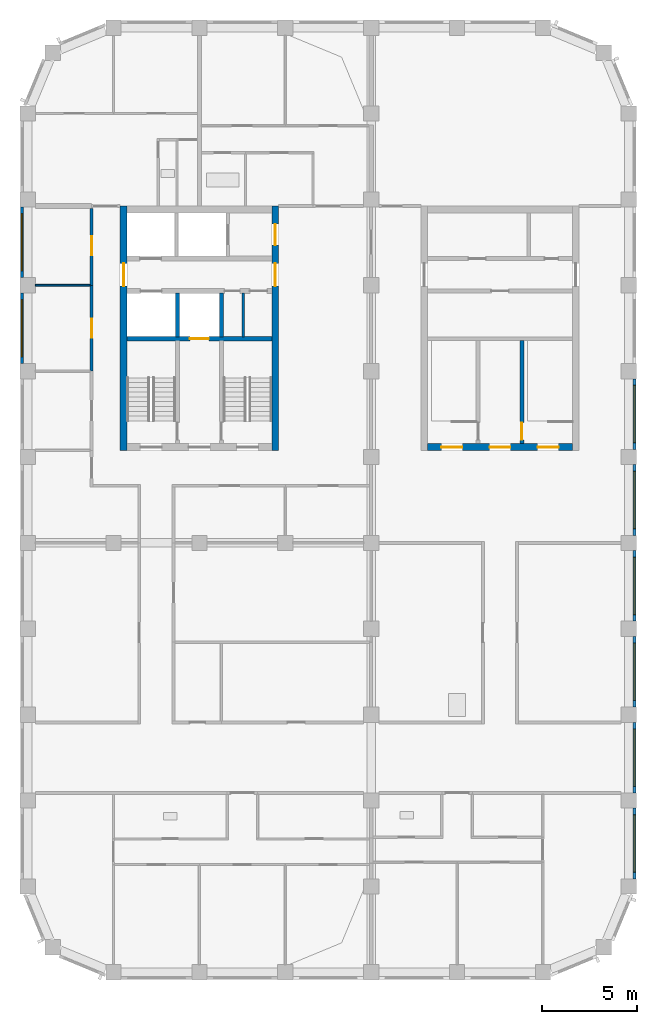
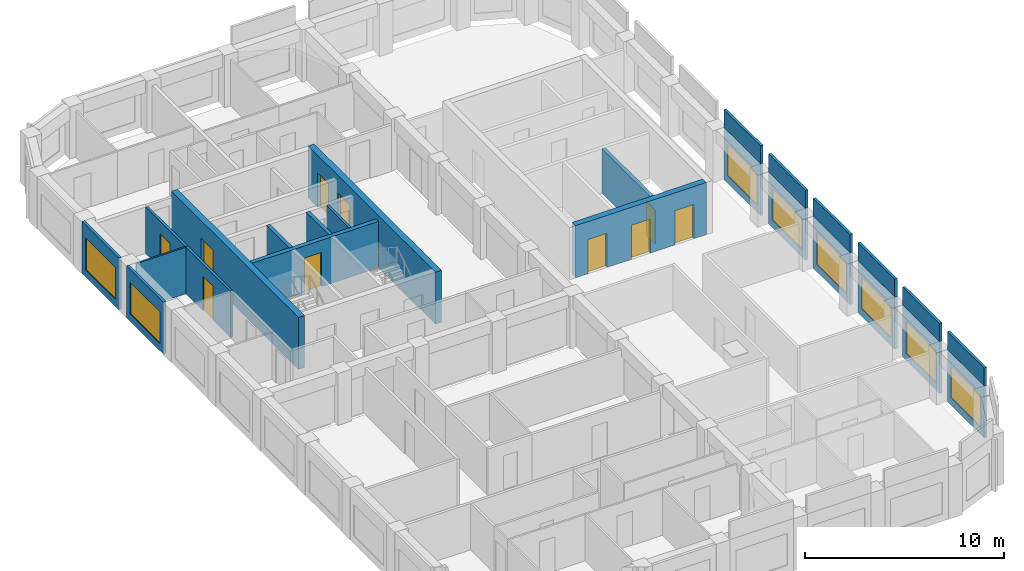
# One storey, part 5 of 10: 25 walls, 10 doors, 8 windows, 18 openings.
"""IFC4 building model written with IfcOpenShell, lengths in metres."""

from ifc_helpers import new_model, si_unit, direction, frame, frame_2d, origin, place, context, subcontext, project, spatial, rectangle, extrude, material, layer, layer_set, type_object, element, fill, save


model = new_model("IFC4")

# Units and contexts
model_context = context("Model", 3, precision=1e-05, world=origin(), true_north=direction((0.0, 1.0)))
body_context = subcontext(model_context, "Body", "Model", "MODEL_VIEW")
ifc_project = project(units=[si_unit("LENGTHUNIT", "METRE"), si_unit("AREAUNIT", "SQUARE_METRE"), si_unit("VOLUMEUNIT", "CUBIC_METRE"), si_unit("PLANEANGLEUNIT", "RADIAN"), si_unit("MASSUNIT", "GRAM", prefix="KILO")], contexts=[model_context])

# Site, building, storey
site_placement = place(None, origin())
site = spatial("IfcSite", under=ifc_project, at=site_placement, CompositionType="ELEMENT")
building_placement = place(site_placement, origin())
building = spatial("IfcBuilding", under=site, at=building_placement, Name="Girih Gate Residences", CompositionType="ELEMENT")
storey_placement = place(building_placement, frame((0.0, 0.0, 232.4951171875)))
storey = spatial("IfcBuildingStorey", under=building, at=storey_placement, Name="L65", CompositionType="ELEMENT", Elevation=232.4951171875)

# Wall, opening, door
ifc_material_1 = material(Name="Gypsum board on steel studs", Category="steel")
ifc_layer_1 = layer(ifc_material_1, 0.14990234375)
ifc_layer_set_1 = layer_set([ifc_layer_1], Name="Compartment wall 150 mm")
wall_type_1 = type_object("IfcWallType", Name="Compartment wall 150 mm", PredefinedType="PARTITIONING", material=ifc_layer_set_1)
wall_1_placement = place(storey_placement, frame((3.35009765625, 31.5, 0.0), z_axis=(0.0, 0.0, 1.0), x_axis=(0.0, 1.0, 0.0)))
wall_1 = element("IfcWall", 1, at=wall_1_placement, inside=storey, type_object=wall_type_1, Name="L65 partition", PredefinedType="PARTITIONING", context=body_context, shape_type="SweptSolid", body=[
    extrude(rectangle(XDim=4.5, YDim=0.14990234375, at=frame_2d((2.25, 0.0))), origin(), (0.0, 0.0, 1.0), 2.849853515625),
])
opening_1_placement = place(wall_1_placement, frame((1.75, 0.0, 0.0)))
opening_1 = element("IfcOpeningElement", 2, at=opening_1_placement, cuts=wall_1, Name="Opening A65-035", PredefinedType="OPENING", context=body_context, shape_type="SweptSolid", body=[
    extrude(rectangle(XDim=1.0, YDim=2.10009765625, at=frame_2d((0.5, 1.050048828125))), frame((0.0, 0.0849609375, 0.0), z_axis=(0.0, -1.0, 0.0), x_axis=(1.0, 0.0, 0.0)), (0.0, 0.0, 1.0), 0.169921875),
])
ifc_material_2 = material(Name="Timber, fire-rated core", Category="wood")
door_type_1 = type_object("IfcDoorType", Name="Amenity room door 1000x2100 FD30S", OperationType="NOTDEFINED", PredefinedType="DOOR", material=ifc_material_2)
door_1_placement = place(opening_1_placement, origin())
door_1 = element("IfcDoor", 3, at=door_1_placement, inside=storey, type_object=door_type_1, Name="Door A65-035", OperationType="SINGLE_SWING_RIGHT", OverallHeight=2.10009765625, OverallWidth=1.0, PredefinedType="DOOR", context=body_context, shape_type="SweptSolid", body=[
    extrude(rectangle(XDim=1.0, YDim=2.10009765625, at=frame_2d((0.5, 1.050048828125))), frame((0.0, 0.02490234375, 0.0), z_axis=(0.0, -1.0, 0.0), x_axis=(1.0, 0.0, 0.0)), (0.0, 0.0, 1.0), 0.050048828125),
])
fill(opening_1, door_1)

wall_2_placement = place(storey_placement, frame((3.35009765625, 36.0, 0.0), z_axis=(0.0, 0.0, 1.0), x_axis=(0.0, 1.0, 0.0)))
wall_2 = element("IfcWall", 4, at=wall_2_placement, inside=storey, type_object=wall_type_1, Name="L65 partition", PredefinedType="PARTITIONING", context=body_context, shape_type="SweptSolid", body=[
    extrude(rectangle(XDim=4.02490234375, YDim=0.14990234375, at=frame_2d((2.012451171875, 0.0))), origin(), (0.0, 0.0, 1.0), 2.849853515625),
])
opening_2_placement = place(wall_2_placement, frame((1.574951171875, 0.0, 0.0)))
opening_2 = element("IfcOpeningElement", 5, at=opening_2_placement, cuts=wall_2, Name="Opening A65-036", PredefinedType="OPENING", context=body_context, shape_type="SweptSolid", body=[
    extrude(rectangle(XDim=1.0, YDim=2.10009765625, at=frame_2d((0.5, 1.050048828125))), frame((0.0, 0.0849609375, 0.0), z_axis=(0.0, -1.0, 0.0), x_axis=(1.0, 0.0, 0.0)), (0.0, 0.0, 1.0), 0.169921875),
])
door_2_placement = place(opening_2_placement, origin())
door_2 = element("IfcDoor", 6, at=door_2_placement, inside=storey, type_object=door_type_1, Name="Door A65-036", OperationType="SINGLE_SWING_RIGHT", OverallHeight=2.10009765625, OverallWidth=1.0, PredefinedType="DOOR", context=body_context, shape_type="SweptSolid", body=[
    extrude(rectangle(XDim=1.0, YDim=2.10009765625, at=frame_2d((0.5, 1.050048828125))), frame((0.0, 0.02490234375, 0.0), z_axis=(0.0, -1.0, 0.0), x_axis=(1.0, 0.0, 0.0)), (0.0, 0.0, 1.0), 0.050048828125),
])
fill(opening_2, door_2)

ifc_material_3 = material(Name="Concrete C60/75", Category="concrete")
ifc_layer_2 = layer(ifc_material_3, 0.35009765625)
ifc_layer_set_2 = layer_set([ifc_layer_2], Name="Core wall RC 350 Concrete C60/75")
wall_type_2 = type_object("IfcWallType", Name="Core wall RC 350 Concrete C60/75", PredefinedType="SOLIDWALL", material=ifc_layer_set_2)
wall_3_placement = place(storey_placement, frame((5.02490234375, 27.35009765625, 0.0), z_axis=(0.0, 0.0, 1.0), x_axis=(0.0, 1.0, 0.0)))
wall_3 = element("IfcWall", 7, at=wall_3_placement, inside=storey, type_object=wall_type_2, Name="Core wall W-W L65", PredefinedType="SOLIDWALL", context=body_context, shape_type="SweptSolid", body=[
    extrude(rectangle(XDim=12.7998046875, YDim=0.35009765625, at=frame_2d((6.39990234375, 0.0))), origin(), (0.0, 0.0, 1.0), 3.199951171875),
])
opening_3_placement = place(wall_3_placement, frame((8.60009765625, 0.0, 0.0)))
opening_3 = element("IfcOpeningElement", 8, at=opening_3_placement, cuts=wall_3, Name="Opening D-L65-W-013", PredefinedType="OPENING", context=body_context, shape_type="SweptSolid", body=[
    extrude(rectangle(XDim=1.199951171875, YDim=2.10009765625, at=frame_2d((0.60009765625, 1.050048828125))), frame((0.0, 0.18505859375, 0.0), z_axis=(0.0, -1.0, 0.0), x_axis=(1.0, 0.0, 0.0)), (0.0, 0.0, 1.0), 0.3701171875),
])
ifc_material_4 = material(Name="Painted steel, fire-resisting", Category="steel")
door_type_2 = type_object("IfcDoorType", Name="Fire door 1200x2100", OperationType="SINGLE_SWING_LEFT", PredefinedType="DOOR", material=ifc_material_4)
door_3_placement = place(opening_3_placement, origin())
door_3 = element("IfcDoor", 9, at=door_3_placement, inside=storey, type_object=door_type_2, Name="L65 W core door ll-w", OperationType="SINGLE_SWING_LEFT", OverallHeight=2.10009765625, OverallWidth=1.199951171875, PredefinedType="DOOR", context=body_context, shape_type="SweptSolid", body=[
    extrude(rectangle(XDim=1.199951171875, YDim=2.10009765625, at=frame_2d((0.60009765625, 1.050048828125))), frame((0.0, 0.02490234375, 0.0), z_axis=(0.0, -1.0, 0.0), x_axis=(1.0, 0.0, 0.0)), (0.0, 0.0, 1.0), 0.050048828125),
])
fill(opening_3, door_3)

# Wall, openings, doors
wall_4_placement = place(storey_placement, frame((12.97509765625, 27.35009765625, 0.0), z_axis=(0.0, 0.0, 1.0), x_axis=(0.0, 1.0, 0.0)))
wall_4 = element("IfcWall", 10, at=wall_4_placement, inside=storey, type_object=wall_type_2, Name="Core wall W-E L65", PredefinedType="SOLIDWALL", context=body_context, shape_type="SweptSolid", body=[
    extrude(rectangle(XDim=12.7998046875, YDim=0.35009765625, at=frame_2d((6.39990234375, 0.0))), origin(), (0.0, 0.0, 1.0), 3.199951171875),
])
opening_4_placement = place(wall_4_placement, frame((10.75, 0.0, 0.0)))
opening_4 = element("IfcOpeningElement", 11, at=opening_4_placement, cuts=wall_4, Name="Opening D-L65-W-012", PredefinedType="OPENING", context=body_context, shape_type="SweptSolid", body=[
    extrude(rectangle(XDim=1.10009765625, YDim=2.10009765625, at=frame_2d((0.550048828125, 1.050048828125))), frame((0.0, 0.18505859375, 0.0), z_axis=(0.0, -1.0, 0.0), x_axis=(1.0, 0.0, 0.0)), (0.0, 0.0, 1.0), 0.3701171875),
])
opening_5_placement = place(wall_4_placement, frame((8.60009765625, 0.0, 0.0)))
opening_5 = element("IfcOpeningElement", 12, at=opening_5_placement, cuts=wall_4, Name="Opening D-L65-W-014", PredefinedType="OPENING", context=body_context, shape_type="SweptSolid", body=[
    extrude(rectangle(XDim=1.199951171875, YDim=2.10009765625, at=frame_2d((0.60009765625, 1.050048828125))), frame((0.0, 0.18505859375, 0.0), z_axis=(0.0, -1.0, 0.0), x_axis=(1.0, 0.0, 0.0)), (0.0, 0.0, 1.0), 0.3701171875),
])
door_type_3 = type_object("IfcDoorType", Name="Fire door 1100x2100", OperationType="SINGLE_SWING_LEFT", PredefinedType="DOOR", material=ifc_material_4)
door_4_placement = place(opening_4_placement, origin())
door_4 = element("IfcDoor", 13, at=door_4_placement, inside=storey, type_object=door_type_3, Name="L65 W core door ffl2-e", OperationType="SINGLE_SWING_LEFT", OverallHeight=2.10009765625, OverallWidth=1.10009765625, PredefinedType="DOOR", context=body_context, shape_type="SweptSolid", body=[
    extrude(rectangle(XDim=1.10009765625, YDim=2.10009765625, at=frame_2d((0.550048828125, 1.050048828125))), frame((0.0, 0.02490234375, 0.0), z_axis=(0.0, -1.0, 0.0), x_axis=(1.0, 0.0, 0.0)), (0.0, 0.0, 1.0), 0.050048828125),
])
fill(opening_4, door_4)
door_5_placement = place(opening_5_placement, origin())
door_5 = element("IfcDoor", 14, at=door_5_placement, inside=storey, type_object=door_type_2, Name="L65 W core door ll-e", OperationType="SINGLE_SWING_LEFT", OverallHeight=2.10009765625, OverallWidth=1.199951171875, PredefinedType="DOOR", context=body_context, shape_type="SweptSolid", body=[
    extrude(rectangle(XDim=1.199951171875, YDim=2.10009765625, at=frame_2d((0.60009765625, 1.050048828125))), frame((0.0, 0.02490234375, 0.0), z_axis=(0.0, -1.0, 0.0), x_axis=(1.0, 0.0, 0.0)), (0.0, 0.0, 1.0), 0.050048828125),
])
fill(opening_5, door_5)

# Wall, opening, door
ifc_material_5 = material(Name="Concrete C40/50", Category="concrete")
ifc_layer_3 = layer(ifc_material_5, 0.25)
ifc_layer_set_3 = layer_set([ifc_layer_3], Name="Lift shaft wall 250")
wall_type_3 = type_object("IfcWallType", Name="Lift shaft wall 250", PredefinedType="SOLIDWALL", material=ifc_layer_set_3)
wall_5_placement = place(storey_placement, frame((5.199951171875, 33.199951171875, 0.0), z_axis=(0.0, 0.0, 1.0), x_axis=(1.0, 0.0, 0.0)))
wall_5 = element("IfcWall", 15, at=wall_5_placement, inside=storey, type_object=wall_type_3, Name="L65 W core wall H1", PredefinedType="SOLIDWALL", context=body_context, shape_type="SweptSolid", body=[
    extrude(rectangle(XDim=7.60009765625, YDim=0.25, at=frame_2d((3.800048828125, 0.0))), origin(), (0.0, 0.0, 1.0), 2.849853515625),
])
opening_6_placement = place(wall_5_placement, frame((3.300048828125, 0.0, 0.0)))
opening_6 = element("IfcOpeningElement", 16, at=opening_6_placement, cuts=wall_5, Name="Opening D-L65-W-006", PredefinedType="OPENING", context=body_context, shape_type="SweptSolid", body=[
    extrude(rectangle(XDim=1.0, YDim=2.10009765625, at=frame_2d((0.5, 1.050048828125))), frame((0.0, 0.135009765625, 0.0), z_axis=(0.0, -1.0, 0.0), x_axis=(1.0, 0.0, 0.0)), (0.0, 0.0, 1.0), 0.27001953125),
])
ifc_material_6 = material(Name="Stainless steel, fire-resisting", Category="steel")
door_type_4 = type_object("IfcDoorType", Name="Firefighting lift landing door 1000x2100", OperationType="SLIDING_TO_LEFT", PredefinedType="DOOR", material=ifc_material_6)
door_6_placement = place(opening_6_placement, origin())
door_6 = element("IfcDoor", 17, at=door_6_placement, inside=storey, type_object=door_type_4, Name="L65 lift FF-W landing door", OperationType="SLIDING_TO_LEFT", OverallHeight=2.10009765625, OverallWidth=1.0, PredefinedType="DOOR", context=body_context, shape_type="SweptSolid", body=[
    extrude(rectangle(XDim=1.0, YDim=2.10009765625, at=frame_2d((0.5, 1.050048828125))), frame((0.0, 0.02490234375, 0.0), z_axis=(0.0, -1.0, 0.0), x_axis=(1.0, 0.0, 0.0)), (0.0, 0.0, 1.0), 0.050048828125),
])
fill(opening_6, door_6)

# Wall
ifc_layer_4 = layer(ifc_material_1, 0.10009765625)
ifc_layer_set_4 = layer_set([ifc_layer_4], Name="Partition 100 mm")
wall_type_4 = type_object("IfcWallType", Name="Partition 100 mm", PredefinedType="PARTITIONING", material=ifc_layer_set_4)
wall_6_placement = place(storey_placement, frame((0.39990234375, 36.0, 0.0), z_axis=(0.0, 0.0, 1.0), x_axis=(1.0, 0.0, 0.0)))
element("IfcWall", 18, at=wall_6_placement, inside=storey, type_object=wall_type_4, Name="L65 partition", PredefinedType="PARTITIONING", context=body_context, shape_type="SweptSolid", body=[
    extrude(rectangle(XDim=2.875, YDim=0.10009765625, at=frame_2d((1.4375, 0.0))), origin(), (0.0, 0.0, 1.0), 2.849853515625),
])

# Wall, opening, window
ifc_material_7 = material(Name="Precast concrete C50/60", Category="concrete")
ifc_layer_5 = layer(ifc_material_7, 0.050048828125, Name="Outer leaf")
ifc_material_8 = material(Name="Rigid PIR insulation")
ifc_layer_6 = layer(ifc_material_8, 0.06005859375, Name="Insulation")
ifc_material_9 = material(Name="Precast concrete C40/50", Category="concrete")
ifc_layer_7 = layer(ifc_material_9, 0.0400390625, Name="Inner leaf")
ifc_layer_set_5 = layer_set([ifc_layer_5, ifc_layer_6, ifc_layer_7], Name="Precast concrete C50/60 external wall 150")
wall_type_5 = type_object("IfcWallType", Name="Precast concrete C50/60 external wall 150", PredefinedType="SOLIDWALL", material=ifc_layer_set_5)
wall_7_placement = place(storey_placement, frame((31.800048828125, 8.60009765625, 0.0), z_axis=(0.0, 0.0, 1.0), x_axis=(0.0, -1.0, 0.0)))
wall_7 = element("IfcWall", 19, at=wall_7_placement, inside=storey, type_object=wall_type_5, Name="External wall E0315_0045.0", PredefinedType="SOLIDWALL", context=body_context, shape_type="SweptSolid", body=[
    extrude(rectangle(XDim=3.7001953125, YDim=0.14990234375, at=frame_2d((1.85009765625, 0.0))), origin(), (0.0, 0.0, 1.0), 3.199951171875),
])
opening_7_placement = place(wall_7_placement, frame((0.35009765625, 0.0, 0.449951171875)))
opening_7 = element("IfcOpeningElement", 20, at=opening_7_placement, cuts=wall_7, Name="Opening W-1D", PredefinedType="OPENING", context=body_context, shape_type="SweptSolid", body=[
    extrude(rectangle(XDim=3.0, YDim=1.949951171875, at=frame_2d((1.5, 0.97509765625))), frame((0.0, 0.0849609375, 0.0), z_axis=(0.0, -1.0, 0.0), x_axis=(1.0, 0.0, 0.0)), (0.0, 0.0, 1.0), 0.169921875),
])
ifc_material_10 = material(Name="Double glazing in aluminium frame", Category="aluminium")
window_type = type_object("IfcWindowType", Name="Window W-1D 3000x1950", PartitioningType="SINGLE_PANEL", PredefinedType="WINDOW", material=ifc_material_10)
window_1_placement = place(opening_7_placement, origin())
window_1 = element("IfcWindow", 21, at=window_1_placement, inside=storey, type_object=window_type, Name="Window W-1D E0315_0045.0", OverallHeight=1.949951171875, OverallWidth=3.0, PartitioningType="SINGLE_PANEL", PredefinedType="WINDOW", context=body_context, shape_type="SweptSolid", body=[
    extrude(rectangle(XDim=3.0, YDim=1.949951171875, at=frame_2d((1.5, 0.97509765625))), frame((0.0, 0.030029296875, 0.0), z_axis=(0.0, -1.0, 0.0), x_axis=(1.0, 0.0, 0.0)), (0.0, 0.0, 1.0), 0.06005859375),
])
fill(opening_7, window_1)

wall_8_placement = place(storey_placement, frame((31.800048828125, 13.10009765625, 0.0), z_axis=(0.0, 0.0, 1.0), x_axis=(0.0, -1.0, 0.0)))
wall_8 = element("IfcWall", 22, at=wall_8_placement, inside=storey, type_object=wall_type_5, Name="External wall E0315_0045.1", PredefinedType="SOLIDWALL", context=body_context, shape_type="SweptSolid", body=[
    extrude(rectangle(XDim=3.7001953125, YDim=0.14990234375, at=frame_2d((1.85009765625, 0.0))), origin(), (0.0, 0.0, 1.0), 3.199951171875),
])
opening_8_placement = place(wall_8_placement, frame((0.35009765625, 0.0, 0.449951171875)))
opening_8 = element("IfcOpeningElement", 23, at=opening_8_placement, cuts=wall_8, Name="Opening W-1D", PredefinedType="OPENING", context=body_context, shape_type="SweptSolid", body=[
    extrude(rectangle(XDim=3.0, YDim=1.949951171875, at=frame_2d((1.5, 0.97509765625))), frame((0.0, 0.0849609375, 0.0), z_axis=(0.0, -1.0, 0.0), x_axis=(1.0, 0.0, 0.0)), (0.0, 0.0, 1.0), 0.169921875),
])
window_2_placement = place(opening_8_placement, origin())
window_2 = element("IfcWindow", 24, at=window_2_placement, inside=storey, type_object=window_type, Name="Window W-1D E0315_0045.1", OverallHeight=1.949951171875, OverallWidth=3.0, PartitioningType="SINGLE_PANEL", PredefinedType="WINDOW", context=body_context, shape_type="SweptSolid", body=[
    extrude(rectangle(XDim=3.0, YDim=1.949951171875, at=frame_2d((1.5, 0.97509765625))), frame((0.0, 0.030029296875, 0.0), z_axis=(0.0, -1.0, 0.0), x_axis=(1.0, 0.0, 0.0)), (0.0, 0.0, 1.0), 0.06005859375),
])
fill(opening_8, window_2)

wall_9_placement = place(storey_placement, frame((31.800048828125, 17.60009765625, 0.0), z_axis=(0.0, 0.0, 1.0), x_axis=(0.0, -1.0, 0.0)))
wall_9 = element("IfcWall", 25, at=wall_9_placement, inside=storey, type_object=wall_type_5, Name="External wall E0315_0045.2", PredefinedType="SOLIDWALL", context=body_context, shape_type="SweptSolid", body=[
    extrude(rectangle(XDim=3.7001953125, YDim=0.14990234375, at=frame_2d((1.85009765625, 0.0))), origin(), (0.0, 0.0, 1.0), 3.199951171875),
])
opening_9_placement = place(wall_9_placement, frame((0.35009765625, 0.0, 0.449951171875)))
opening_9 = element("IfcOpeningElement", 26, at=opening_9_placement, cuts=wall_9, Name="Opening W-1D", PredefinedType="OPENING", context=body_context, shape_type="SweptSolid", body=[
    extrude(rectangle(XDim=3.0, YDim=1.949951171875, at=frame_2d((1.5, 0.97509765625))), frame((0.0, 0.0849609375, 0.0), z_axis=(0.0, -1.0, 0.0), x_axis=(1.0, 0.0, 0.0)), (0.0, 0.0, 1.0), 0.169921875),
])
window_3_placement = place(opening_9_placement, origin())
window_3 = element("IfcWindow", 27, at=window_3_placement, inside=storey, type_object=window_type, Name="Window W-1D E0315_0045.2", OverallHeight=1.949951171875, OverallWidth=3.0, PartitioningType="SINGLE_PANEL", PredefinedType="WINDOW", context=body_context, shape_type="SweptSolid", body=[
    extrude(rectangle(XDim=3.0, YDim=1.949951171875, at=frame_2d((1.5, 0.97509765625))), frame((0.0, 0.030029296875, 0.0), z_axis=(0.0, -1.0, 0.0), x_axis=(1.0, 0.0, 0.0)), (0.0, 0.0, 1.0), 0.06005859375),
])
fill(opening_9, window_3)

wall_10_placement = place(storey_placement, frame((31.800048828125, 22.10009765625, 0.0), z_axis=(0.0, 0.0, 1.0), x_axis=(0.0, -1.0, 0.0)))
wall_10 = element("IfcWall", 28, at=wall_10_placement, inside=storey, type_object=wall_type_5, Name="External wall E0315_0045.3", PredefinedType="SOLIDWALL", context=body_context, shape_type="SweptSolid", body=[
    extrude(rectangle(XDim=3.7001953125, YDim=0.14990234375, at=frame_2d((1.85009765625, 0.0))), origin(), (0.0, 0.0, 1.0), 3.199951171875),
])
opening_10_placement = place(wall_10_placement, frame((0.35009765625, 0.0, 0.449951171875)))
opening_10 = element("IfcOpeningElement", 29, at=opening_10_placement, cuts=wall_10, Name="Opening W-1D", PredefinedType="OPENING", context=body_context, shape_type="SweptSolid", body=[
    extrude(rectangle(XDim=3.0, YDim=1.949951171875, at=frame_2d((1.5, 0.97509765625))), frame((0.0, 0.0849609375, 0.0), z_axis=(0.0, -1.0, 0.0), x_axis=(1.0, 0.0, 0.0)), (0.0, 0.0, 1.0), 0.169921875),
])
window_4_placement = place(opening_10_placement, origin())
window_4 = element("IfcWindow", 30, at=window_4_placement, inside=storey, type_object=window_type, Name="Window W-1D E0315_0045.3", OverallHeight=1.949951171875, OverallWidth=3.0, PartitioningType="SINGLE_PANEL", PredefinedType="WINDOW", context=body_context, shape_type="SweptSolid", body=[
    extrude(rectangle(XDim=3.0, YDim=1.949951171875, at=frame_2d((1.5, 0.97509765625))), frame((0.0, 0.030029296875, 0.0), z_axis=(0.0, -1.0, 0.0), x_axis=(1.0, 0.0, 0.0)), (0.0, 0.0, 1.0), 0.06005859375),
])
fill(opening_10, window_4)

wall_11_placement = place(storey_placement, frame((31.800048828125, 26.60009765625, 0.0), z_axis=(0.0, 0.0, 1.0), x_axis=(0.0, -1.0, 0.0)))
wall_11 = element("IfcWall", 31, at=wall_11_placement, inside=storey, type_object=wall_type_5, Name="External wall E0315_0045.4", PredefinedType="SOLIDWALL", context=body_context, shape_type="SweptSolid", body=[
    extrude(rectangle(XDim=3.7001953125, YDim=0.14990234375, at=frame_2d((1.85009765625, 0.0))), origin(), (0.0, 0.0, 1.0), 3.199951171875),
])
opening_11_placement = place(wall_11_placement, frame((0.35009765625, 0.0, 0.449951171875)))
opening_11 = element("IfcOpeningElement", 32, at=opening_11_placement, cuts=wall_11, Name="Opening W-1D", PredefinedType="OPENING", context=body_context, shape_type="SweptSolid", body=[
    extrude(rectangle(XDim=3.0, YDim=1.949951171875, at=frame_2d((1.5, 0.97509765625))), frame((0.0, 0.0849609375, 0.0), z_axis=(0.0, -1.0, 0.0), x_axis=(1.0, 0.0, 0.0)), (0.0, 0.0, 1.0), 0.169921875),
])
window_5_placement = place(opening_11_placement, origin())
window_5 = element("IfcWindow", 33, at=window_5_placement, inside=storey, type_object=window_type, Name="Window W-1D E0315_0045.4", OverallHeight=1.949951171875, OverallWidth=3.0, PartitioningType="SINGLE_PANEL", PredefinedType="WINDOW", context=body_context, shape_type="SweptSolid", body=[
    extrude(rectangle(XDim=3.0, YDim=1.949951171875, at=frame_2d((1.5, 0.97509765625))), frame((0.0, 0.030029296875, 0.0), z_axis=(0.0, -1.0, 0.0), x_axis=(1.0, 0.0, 0.0)), (0.0, 0.0, 1.0), 0.06005859375),
])
fill(opening_11, window_5)

wall_12_placement = place(storey_placement, frame((31.800048828125, 31.10009765625, 0.0), z_axis=(0.0, 0.0, 1.0), x_axis=(0.0, -1.0, 0.0)))
wall_12 = element("IfcWall", 34, at=wall_12_placement, inside=storey, type_object=wall_type_5, Name="External wall E0315_0045.5", PredefinedType="SOLIDWALL", context=body_context, shape_type="SweptSolid", body=[
    extrude(rectangle(XDim=3.7001953125, YDim=0.14990234375, at=frame_2d((1.85009765625, 0.0))), origin(), (0.0, 0.0, 1.0), 3.199951171875),
])
opening_12_placement = place(wall_12_placement, frame((0.35009765625, 0.0, 0.449951171875)))
opening_12 = element("IfcOpeningElement", 35, at=opening_12_placement, cuts=wall_12, Name="Opening W-1D", PredefinedType="OPENING", context=body_context, shape_type="SweptSolid", body=[
    extrude(rectangle(XDim=3.0, YDim=1.949951171875, at=frame_2d((1.5, 0.97509765625))), frame((0.0, 0.0849609375, 0.0), z_axis=(0.0, -1.0, 0.0), x_axis=(1.0, 0.0, 0.0)), (0.0, 0.0, 1.0), 0.169921875),
])
window_6_placement = place(opening_12_placement, origin())
window_6 = element("IfcWindow", 36, at=window_6_placement, inside=storey, type_object=window_type, Name="Window W-1D E0315_0045.5", OverallHeight=1.949951171875, OverallWidth=3.0, PartitioningType="SINGLE_PANEL", PredefinedType="WINDOW", context=body_context, shape_type="SweptSolid", body=[
    extrude(rectangle(XDim=3.0, YDim=1.949951171875, at=frame_2d((1.5, 0.97509765625))), frame((0.0, 0.030029296875, 0.0), z_axis=(0.0, -1.0, 0.0), x_axis=(1.0, 0.0, 0.0)), (0.0, 0.0, 1.0), 0.06005859375),
])
fill(opening_12, window_6)

wall_13_placement = place(storey_placement, frame((-0.300048828125, 36.39990234375, 0.0), z_axis=(0.0, 0.0, 1.0), x_axis=(0.0, 1.0, 0.0)))
wall_13 = element("IfcWall", 37, at=wall_13_placement, inside=storey, type_object=wall_type_5, Name="External wall W0000_0450.1", PredefinedType="SOLIDWALL", context=body_context, shape_type="SweptSolid", body=[
    extrude(rectangle(XDim=3.7001953125, YDim=0.14990234375, at=frame_2d((1.85009765625, 0.0))), origin(), (0.0, 0.0, 1.0), 3.199951171875),
])
opening_13_placement = place(wall_13_placement, frame((0.35009765625, 0.0, 0.449951171875)))
opening_13 = element("IfcOpeningElement", 38, at=opening_13_placement, cuts=wall_13, Name="Opening W-1D", PredefinedType="OPENING", context=body_context, shape_type="SweptSolid", body=[
    extrude(rectangle(XDim=3.0, YDim=1.949951171875, at=frame_2d((1.5, 0.97509765625))), frame((0.0, 0.0849609375, 0.0), z_axis=(0.0, -1.0, 0.0), x_axis=(1.0, 0.0, 0.0)), (0.0, 0.0, 1.0), 0.169921875),
])
window_7_placement = place(opening_13_placement, origin())
window_7 = element("IfcWindow", 39, at=window_7_placement, inside=storey, type_object=window_type, Name="Window W-1D W0000_0450.1", OverallHeight=1.949951171875, OverallWidth=3.0, PartitioningType="SINGLE_PANEL", PredefinedType="WINDOW", context=body_context, shape_type="SweptSolid", body=[
    extrude(rectangle(XDim=3.0, YDim=1.949951171875, at=frame_2d((1.5, 0.97509765625))), frame((0.0, 0.030029296875, 0.0), z_axis=(0.0, -1.0, 0.0), x_axis=(1.0, 0.0, 0.0)), (0.0, 0.0, 1.0), 0.06005859375),
])
fill(opening_13, window_7)

wall_14_placement = place(storey_placement, frame((-0.300048828125, 31.89990234375, 0.0), z_axis=(0.0, 0.0, 1.0), x_axis=(0.0, 1.0, 0.0)))
wall_14 = element("IfcWall", 40, at=wall_14_placement, inside=storey, type_object=wall_type_5, Name="External wall W0000_0450.2", PredefinedType="SOLIDWALL", context=body_context, shape_type="SweptSolid", body=[
    extrude(rectangle(XDim=3.7001953125, YDim=0.14990234375, at=frame_2d((1.85009765625, 0.0))), origin(), (0.0, 0.0, 1.0), 3.199951171875),
])
opening_14_placement = place(wall_14_placement, frame((0.35009765625, 0.0, 0.449951171875)))
opening_14 = element("IfcOpeningElement", 41, at=opening_14_placement, cuts=wall_14, Name="Opening W-1D", PredefinedType="OPENING", context=body_context, shape_type="SweptSolid", body=[
    extrude(rectangle(XDim=3.0, YDim=1.949951171875, at=frame_2d((1.5, 0.97509765625))), frame((0.0, 0.0849609375, 0.0), z_axis=(0.0, -1.0, 0.0), x_axis=(1.0, 0.0, 0.0)), (0.0, 0.0, 1.0), 0.169921875),
])
window_8_placement = place(opening_14_placement, origin())
window_8 = element("IfcWindow", 42, at=window_8_placement, inside=storey, type_object=window_type, Name="Window W-1D W0000_0450.2", OverallHeight=1.949951171875, OverallWidth=3.0, PartitioningType="SINGLE_PANEL", PredefinedType="WINDOW", context=body_context, shape_type="SweptSolid", body=[
    extrude(rectangle(XDim=3.0, YDim=1.949951171875, at=frame_2d((1.5, 0.97509765625))), frame((0.0, 0.030029296875, 0.0), z_axis=(0.0, -1.0, 0.0), x_axis=(1.0, 0.0, 0.0)), (0.0, 0.0, 1.0), 0.06005859375),
])
fill(opening_14, window_8)

# Walls
ifc_layer_8 = layer(ifc_material_7, 0.14990234375)
ifc_layer_set_6 = layer_set([ifc_layer_8], Name="Roof parapet 150")
wall_type_6 = type_object("IfcWallType", Name="Roof parapet 150", PredefinedType="PARAPET", material=ifc_layer_set_6)
for number, where, z_axis, x_axis, name in (
    (43, (31.800048828125, 8.60009765625, 3.199951171875), (0.0, 0.0, 1.0), (0.0, -1.0, 0.0), "Roof parapet E0315_0045.0"),
    (44, (31.800048828125, 13.10009765625, 3.199951171875), (0.0, 0.0, 1.0), (0.0, -1.0, 0.0), "Roof parapet E0315_0045.1"),
    (45, (31.800048828125, 17.60009765625, 3.199951171875), (0.0, 0.0, 1.0), (0.0, -1.0, 0.0), "Roof parapet E0315_0045.2"),
    (46, (31.800048828125, 22.10009765625, 3.199951171875), (0.0, 0.0, 1.0), (0.0, -1.0, 0.0), "Roof parapet E0315_0045.3"),
    (47, (31.800048828125, 26.60009765625, 3.199951171875), (0.0, 0.0, 1.0), (0.0, -1.0, 0.0), "Roof parapet E0315_0045.4"),
    (48, (31.800048828125, 31.10009765625, 3.199951171875), (0.0, 0.0, 1.0), (0.0, -1.0, 0.0), "Roof parapet E0315_0045.5"),
):
    element("IfcWall", number, at=place(storey_placement, frame(where, z_axis=z_axis, x_axis=x_axis)), inside=storey, type_object=wall_type_6, Name=name, PredefinedType="PARAPET", context=body_context, shape_type="SweptSolid", body=[
        extrude(rectangle(XDim=3.7001953125, YDim=0.14990234375, at=frame_2d((1.85009765625, 0.0))), origin(), (0.0, 0.0, 1.0), 1.099853515625),
    ])
ifc_layer_9 = layer(ifc_material_5, 0.199951171875)
ifc_layer_set_7 = layer_set([ifc_layer_9], Name="Shaft wall 200")
wall_type_7 = type_object("IfcWallType", Name="Shaft wall 200", PredefinedType="SOLIDWALL", material=ifc_layer_set_7)
for number, where, z_axis, x_axis, name in (
    (49, (7.85009765625, 33.300048828125, 0.0), (0.0, 0.0, 1.0), (0.0, 1.0, 0.0), "L65 W core wall V1b"),
    (50, (10.14990234375, 33.300048828125, 0.0), (0.0, 0.0, 1.0), (0.0, 1.0, 0.0), "L65 W core wall V2b"),
):
    element("IfcWall", number, at=place(storey_placement, frame(where, z_axis=z_axis, x_axis=x_axis)), inside=storey, type_object=wall_type_7, Name=name, PredefinedType="SOLIDWALL", context=body_context, shape_type="SweptSolid", body=[
        extrude(rectangle(XDim=2.300048828125, YDim=0.199951171875, at=frame_2d((1.14990234375, 0.0))), origin(), (0.0, 0.0, 1.0), 2.849853515625),
    ])

# Wall, opening, door
wall_15_placement = place(storey_placement, frame((25.89990234375, 27.699951171875, 0.0), z_axis=(0.0, 0.0, 1.0), x_axis=(0.0, 1.0, 0.0)))
wall_15 = element("IfcWall", 51, at=wall_15_placement, inside=storey, type_object=wall_type_7, Name="L65 C core wall V2a", PredefinedType="SOLIDWALL", context=body_context, shape_type="SweptSolid", body=[
    extrude(rectangle(XDim=5.400146484375, YDim=0.199951171875, at=frame_2d((2.7001953125, 0.0))), origin(), (0.0, 0.0, 1.0), 2.75),
])
opening_15_placement = place(wall_15_placement, frame((0.199951171875, 0.0, 0.0)))
opening_15 = element("IfcOpeningElement", 52, at=opening_15_placement, cuts=wall_15, Name="Opening D-L65-C-002", PredefinedType="OPENING", context=body_context, shape_type="SweptSolid", body=[
    extrude(rectangle(XDim=0.89990234375, YDim=2.10009765625, at=frame_2d((0.449951171875, 1.050048828125))), frame((0.0, 0.10986328125, 0.0), z_axis=(0.0, -1.0, 0.0), x_axis=(1.0, 0.0, 0.0)), (0.0, 0.0, 1.0), 0.219970703125),
])
door_type_5 = type_object("IfcDoorType", Name="Fire door 900x2100", OperationType="SINGLE_SWING_LEFT", PredefinedType="DOOR", material=ifc_material_4)
door_7_placement = place(opening_15_placement, origin())
door_7 = element("IfcDoor", 53, at=door_7_placement, inside=storey, type_object=door_type_5, Name="L65 C door stair 2 to stair lobby", OperationType="SINGLE_SWING_LEFT", OverallHeight=2.10009765625, OverallWidth=0.89990234375, PredefinedType="DOOR", context=body_context, shape_type="SweptSolid", body=[
    extrude(rectangle(XDim=0.89990234375, YDim=2.10009765625, at=frame_2d((0.449951171875, 1.050048828125))), frame((0.0, 0.02490234375, 0.0), z_axis=(0.0, -1.0, 0.0), x_axis=(1.0, 0.0, 0.0)), (0.0, 0.0, 1.0), 0.050048828125),
])
fill(opening_15, door_7)

# Wall, openings, doors
ifc_layer_10 = layer(ifc_material_5, 0.35009765625)
ifc_layer_set_8 = layer_set([ifc_layer_10], Name="Stair core wall RC 350 Concrete C40/50")
wall_type_8 = type_object("IfcWallType", Name="Stair core wall RC 350 Concrete C40/50", PredefinedType="SOLIDWALL", material=ifc_layer_set_8)
wall_16_placement = place(storey_placement, frame((20.949951171875, 27.52490234375, 0.0), z_axis=(0.0, 0.0, 1.0), x_axis=(1.0, 0.0, 0.0)))
wall_16 = element("IfcWall", 54, at=wall_16_placement, inside=storey, type_object=wall_type_8, Name="Stair core wall C-S L65", PredefinedType="SOLIDWALL", context=body_context, shape_type="SweptSolid", body=[
    extrude(rectangle(XDim=7.60009765625, YDim=0.35009765625, at=frame_2d((3.800048828125, 0.0))), origin(), (0.0, 0.0, 1.0), 3.199951171875),
])
opening_16_placement = place(wall_16_placement, frame((0.72509765625, 0.0, 0.0)))
opening_16 = element("IfcOpeningElement", 55, at=opening_16_placement, cuts=wall_16, Name="Opening D-L65-C-006", PredefinedType="OPENING", context=body_context, shape_type="SweptSolid", body=[
    extrude(rectangle(XDim=1.10009765625, YDim=2.10009765625, at=frame_2d((0.550048828125, 1.050048828125))), frame((0.0, 0.18505859375, 0.0), z_axis=(0.0, -1.0, 0.0), x_axis=(1.0, 0.0, 0.0)), (0.0, 0.0, 1.0), 0.3701171875),
])
opening_17_placement = place(wall_16_placement, frame((3.25, 0.0, 0.0)))
opening_17 = element("IfcOpeningElement", 56, at=opening_17_placement, cuts=wall_16, Name="Opening D-L65-C-007", PredefinedType="OPENING", context=body_context, shape_type="SweptSolid", body=[
    extrude(rectangle(XDim=1.10009765625, YDim=2.10009765625, at=frame_2d((0.550048828125, 1.050048828125))), frame((0.0, 0.18505859375, 0.0), z_axis=(0.0, -1.0, 0.0), x_axis=(1.0, 0.0, 0.0)), (0.0, 0.0, 1.0), 0.3701171875),
])
opening_18_placement = place(wall_16_placement, frame((5.77490234375, 0.0, 0.0)))
opening_18 = element("IfcOpeningElement", 57, at=opening_18_placement, cuts=wall_16, Name="Opening D-L65-C-008", PredefinedType="OPENING", context=body_context, shape_type="SweptSolid", body=[
    extrude(rectangle(XDim=1.10009765625, YDim=2.10009765625, at=frame_2d((0.550048828125, 1.050048828125))), frame((0.0, 0.18505859375, 0.0), z_axis=(0.0, -1.0, 0.0), x_axis=(1.0, 0.0, 0.0)), (0.0, 0.0, 1.0), 0.3701171875),
])
door_8_placement = place(opening_16_placement, origin())
door_8 = element("IfcDoor", 58, at=door_8_placement, inside=storey, type_object=door_type_3, Name="L65 C core door sta-out", OperationType="SINGLE_SWING_LEFT", OverallHeight=2.10009765625, OverallWidth=1.10009765625, PredefinedType="DOOR", context=body_context, shape_type="SweptSolid", body=[
    extrude(rectangle(XDim=1.10009765625, YDim=2.10009765625, at=frame_2d((0.550048828125, 1.050048828125))), frame((0.0, 0.02490234375, 0.0), z_axis=(0.0, -1.0, 0.0), x_axis=(1.0, 0.0, 0.0)), (0.0, 0.0, 1.0), 0.050048828125),
])
fill(opening_16, door_8)
door_9_placement = place(opening_17_placement, origin())
door_9 = element("IfcDoor", 59, at=door_9_placement, inside=storey, type_object=door_type_3, Name="L65 C core door ffl-out", OperationType="SINGLE_SWING_LEFT", OverallHeight=2.10009765625, OverallWidth=1.10009765625, PredefinedType="DOOR", context=body_context, shape_type="SweptSolid", body=[
    extrude(rectangle(XDim=1.10009765625, YDim=2.10009765625, at=frame_2d((0.550048828125, 1.050048828125))), frame((0.0, 0.02490234375, 0.0), z_axis=(0.0, -1.0, 0.0), x_axis=(1.0, 0.0, 0.0)), (0.0, 0.0, 1.0), 0.050048828125),
])
fill(opening_17, door_9)
door_10_placement = place(opening_18_placement, origin())
door_10 = element("IfcDoor", 60, at=door_10_placement, inside=storey, type_object=door_type_3, Name="L65 C core door stb-out", OperationType="SINGLE_SWING_LEFT", OverallHeight=2.10009765625, OverallWidth=1.10009765625, PredefinedType="DOOR", context=body_context, shape_type="SweptSolid", body=[
    extrude(rectangle(XDim=1.10009765625, YDim=2.10009765625, at=frame_2d((0.550048828125, 1.050048828125))), frame((0.0, 0.02490234375, 0.0), z_axis=(0.0, -1.0, 0.0), x_axis=(1.0, 0.0, 0.0)), (0.0, 0.0, 1.0), 0.050048828125),
])
fill(opening_18, door_10)

# Wall
ifc_material_11 = material(Name="Calcium silicate blockwork", Category="masonry")
ifc_layer_11 = layer(ifc_material_11, 0.125)
ifc_layer_set_9 = layer_set([ifc_layer_11], Name="Store partition 125")
wall_type_9 = type_object("IfcWallType", Name="Store partition 125", PredefinedType="PARTITIONING", material=ifc_layer_set_9)
wall_17_placement = place(storey_placement, frame((11.300048828125, 33.300048828125, 0.0), z_axis=(0.0, 0.0, 1.0), x_axis=(0.0, 1.0, 0.0)))
element("IfcWall", 61, at=wall_17_placement, inside=storey, type_object=wall_type_9, Name="L65 W core wall SHR2", PredefinedType="PARTITIONING", context=body_context, shape_type="SweptSolid", body=[
    extrude(rectangle(XDim=2.300048828125, YDim=0.125, at=frame_2d((1.14990234375, 0.0))), origin(), (0.0, 0.0, 1.0), 2.849853515625),
])

save(model, "model.ifc")
